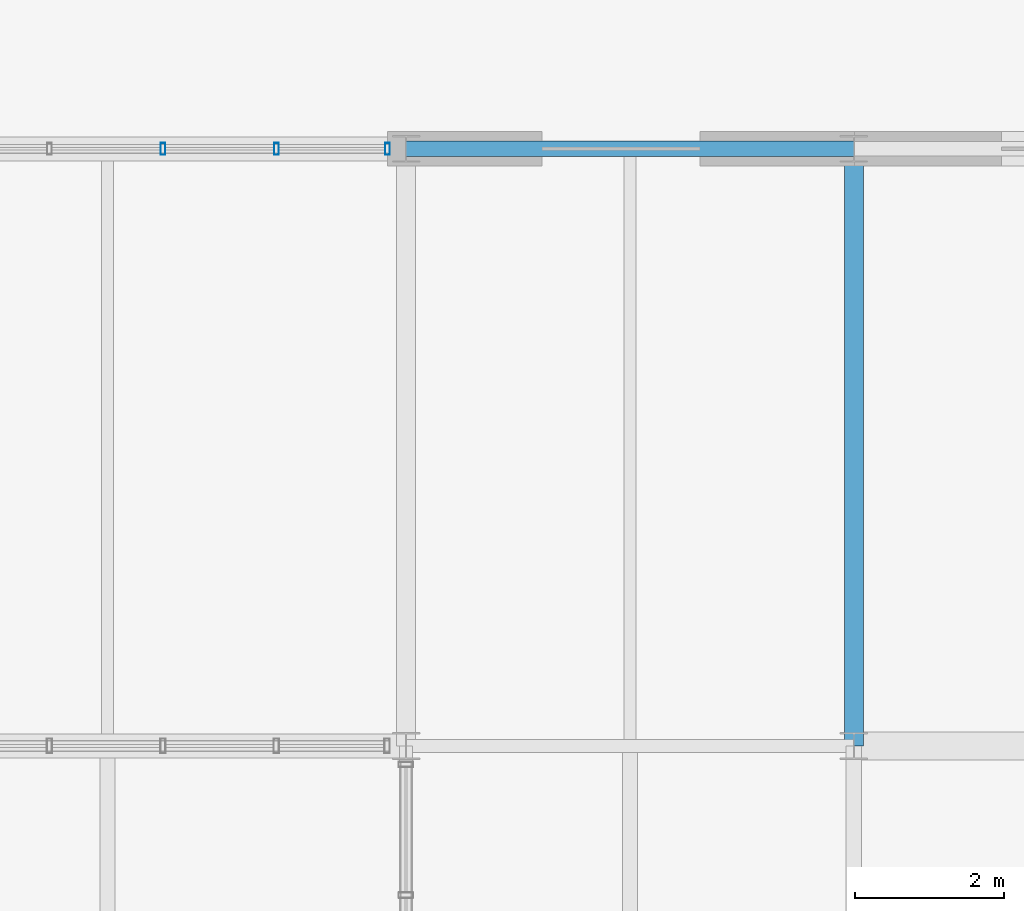
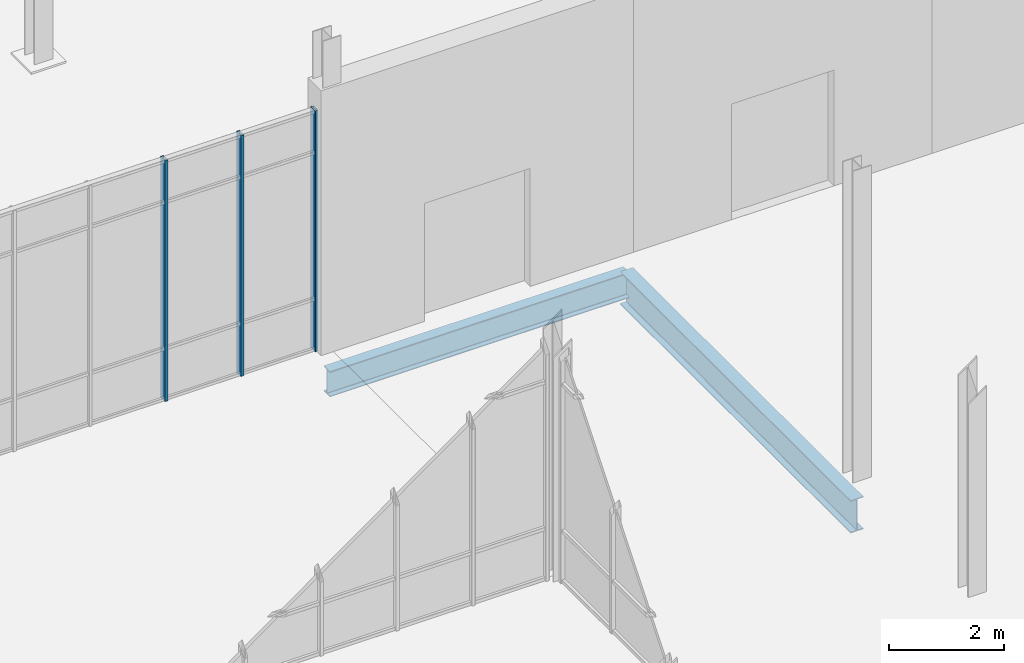
# One storey, part 89 of 140: 3 members, 2 beams, 1 element without a shape of its own.
"""IFC4 building model written with IfcOpenShell, lengths in metres."""

from ifc_helpers import new_model, si_unit, direction, frame, origin, origin_2d, place, context, subcontext, project, spatial, hollow_rectangle, i_section, extrude, material, material_profile, profile_set, type_object, element, aggregate, save


model = new_model("IFC4")

# Units and contexts
model_context = context("Model", 3, precision=1e-05, world=origin(), true_north=direction((0.0, 1.0)))
body_context = subcontext(model_context, "Body", "Model", "MODEL_VIEW")
ifc_project = project(units=[si_unit("LENGTHUNIT", "METRE"), si_unit("AREAUNIT", "SQUARE_METRE"), si_unit("VOLUMEUNIT", "CUBIC_METRE"), si_unit("PLANEANGLEUNIT", "RADIAN"), si_unit("MASSUNIT", "GRAM", prefix="KILO")], contexts=[model_context])

# Site, building, storey
site_placement = place(None, origin())
site = spatial("IfcSite", under=ifc_project, at=site_placement, CompositionType="ELEMENT")
building_placement = place(site_placement, origin())
building = spatial("IfcBuilding", under=site, at=building_placement, Name="Verrall Gate Interchange", CompositionType="ELEMENT")
storey_placement = place(building_placement, origin())
storey = spatial("IfcBuildingStorey", under=building, at=storey_placement, Name="L01", CompositionType="ELEMENT", Elevation=0.0)

# Beams
ifc_material_1 = material(Name="Structural Steel CSA G40.21 350WT Cat 4", Category="steel")
ifc_material_profile_1 = material_profile(ifc_material_1, i_section(OverallWidth=0.256103515625, OverallDepth=0.693115234375, WebThickness=0.01318359375, FlangeThickness=0.02001953125, FilletRadius=0.01611328125, at=origin_2d()), Name="W690x170")
ifc_profile_set_1 = profile_set([ifc_material_profile_1], Name="Structural Steel CSA G40.21 350WT Cat 4")
beam_type_1 = type_object("IfcBeamType", Name="B-07 Structural Beam W690x170", PredefinedType="BEAM", material=ifc_profile_set_1)
beam_1_placement = place(storey_placement, frame((138.0, 48.0, -0.846435546875), z_axis=(0.0, 1.0, 0.0), x_axis=(-1.0, 0.0, 0.0)))
element("IfcBeam", 1, at=beam_1_placement, inside=storey, type_object=beam_type_1, Name="L01 Girder BM-L01-1210 (B-07)", PredefinedType="BEAM", context=body_context, shape_type="SweptSolid", body=[
    extrude(i_section(OverallWidth=0.256103515625, OverallDepth=0.693115234375, WebThickness=0.01318359375, FlangeThickness=0.02001953125, FilletRadius=0.01611328125, at=origin_2d()), origin(), (0.0, 0.0, 1.0), 8.0),
])
ifc_material_2 = material(Name="Structural Steel CSA G40.21 350W", Category="steel")
ifc_material_profile_2 = material_profile(ifc_material_2, i_section(OverallWidth=0.2109375, OverallDepth=0.5390625, WebThickness=0.01171875, FlangeThickness=0.018798828125, FilletRadius=0.013916015625, at=origin_2d()), Name="W530x109")
ifc_profile_set_2 = profile_set([ifc_material_profile_2], Name="Structural Steel CSA G40.21 350W")
beam_type_2 = type_object("IfcBeamType", Name="B-10 Structural Beam W530x109", PredefinedType="BEAM", material=ifc_profile_set_2)
beam_2_placement = place(storey_placement, frame((132.0, 56.0, -0.76953125), z_axis=(1.0, 0.0, 0.0), x_axis=(0.0, 1.0, 0.0)))
element("IfcBeam", 2, at=beam_2_placement, inside=storey, type_object=beam_type_2, Name="L01 Girder BM-L01-0951 (B-10)", PredefinedType="BEAM", context=body_context, shape_type="SweptSolid", body=[
    extrude(i_section(OverallWidth=0.2109375, OverallDepth=0.5390625, WebThickness=0.01171875, FlangeThickness=0.018798828125, FilletRadius=0.013916015625, at=origin_2d()), origin(), (0.0, 0.0, 1.0), 6.0),
])

# Curtain wall, members
ifc_material_3 = material(Name="Thermally Broken Anodized Aluminium Curtain Wall Framing", Category="aluminium")
curtain_wall_type = type_object("IfcCurtainWallType", Name="CW-06 Unitized Curtain Wall 7631x5100", PredefinedType="NOTDEFINED", material=ifc_material_3)
curtain_wall_placement = place(storey_placement, origin())
curtain_wall = element("IfcCurtainWall", 3, at=curtain_wall_placement, inside=storey, type_object=curtain_wall_type, Name="L01 Unitized Curtain Wall CW-L01-012", PredefinedType="NOTDEFINED")
ifc_material_4 = material(Name="Thermally Broken Anodized Aluminium Curtain Wall Framing", Category="aluminium")
ifc_material_profile_3 = material_profile(ifc_material_4, hollow_rectangle(XDim=0.06494140625, YDim=0.159912109375, WallThickness=0.00390625, InnerFilletRadius=0.00390625, OuterFilletRadius=0.008056640625, at=origin_2d()), Name="CWM160x65x4")
ifc_profile_set_3 = profile_set([ifc_material_profile_3], Name="Thermally Broken Anodized Aluminium Curtain Wall Framing")
member_type = type_object("IfcMemberType", Name="CM-01 Curtain Mullion CWM160x65x4", PredefinedType="MULLION", material=ifc_profile_set_3)
member_1_placement = place(storey_placement, frame((131.7509765625, 56.0, 0.0), z_axis=(0.0, 0.0, 1.0), x_axis=(-1.0, 0.0, 0.0)))
member_1 = element("IfcMember", 4, at=member_1_placement, type_object=member_type, Name="CW-L01-012 Mullion 1", PredefinedType="MULLION", context=body_context, shape_type="SweptSolid", body=[
    extrude(hollow_rectangle(XDim=0.06494140625, YDim=0.159912109375, WallThickness=0.00390625, InnerFilletRadius=0.00390625, OuterFilletRadius=0.008056640625, at=origin_2d()), origin(), (0.0, 0.0, 1.0), 5.10009765625),
])
member_2_placement = place(storey_placement, frame((130.263671875, 56.0, 0.0), z_axis=(0.0, 0.0, 1.0), x_axis=(-1.0, 0.0, 0.0)))
member_2 = element("IfcMember", 5, at=member_2_placement, type_object=member_type, Name="CW-L01-012 Mullion 2", PredefinedType="MULLION", context=body_context, shape_type="SweptSolid", body=[
    extrude(hollow_rectangle(XDim=0.06494140625, YDim=0.159912109375, WallThickness=0.00390625, InnerFilletRadius=0.00390625, OuterFilletRadius=0.008056640625, at=origin_2d()), origin(), (0.0, 0.0, 1.0), 5.10009765625),
])
member_3_placement = place(storey_placement, frame((128.743896484375, 56.0, 0.0), z_axis=(0.0, 0.0, 1.0), x_axis=(-1.0, 0.0, 0.0)))
member_3 = element("IfcMember", 6, at=member_3_placement, type_object=member_type, Name="CW-L01-012 Mullion 3", PredefinedType="MULLION", context=body_context, shape_type="SweptSolid", body=[
    extrude(hollow_rectangle(XDim=0.06494140625, YDim=0.159912109375, WallThickness=0.00390625, InnerFilletRadius=0.00390625, OuterFilletRadius=0.008056640625, at=origin_2d()), origin(), (0.0, 0.0, 1.0), 5.10009765625),
])
aggregate(curtain_wall, [member_1, member_2, member_3])

save(model, "model.ifc")
